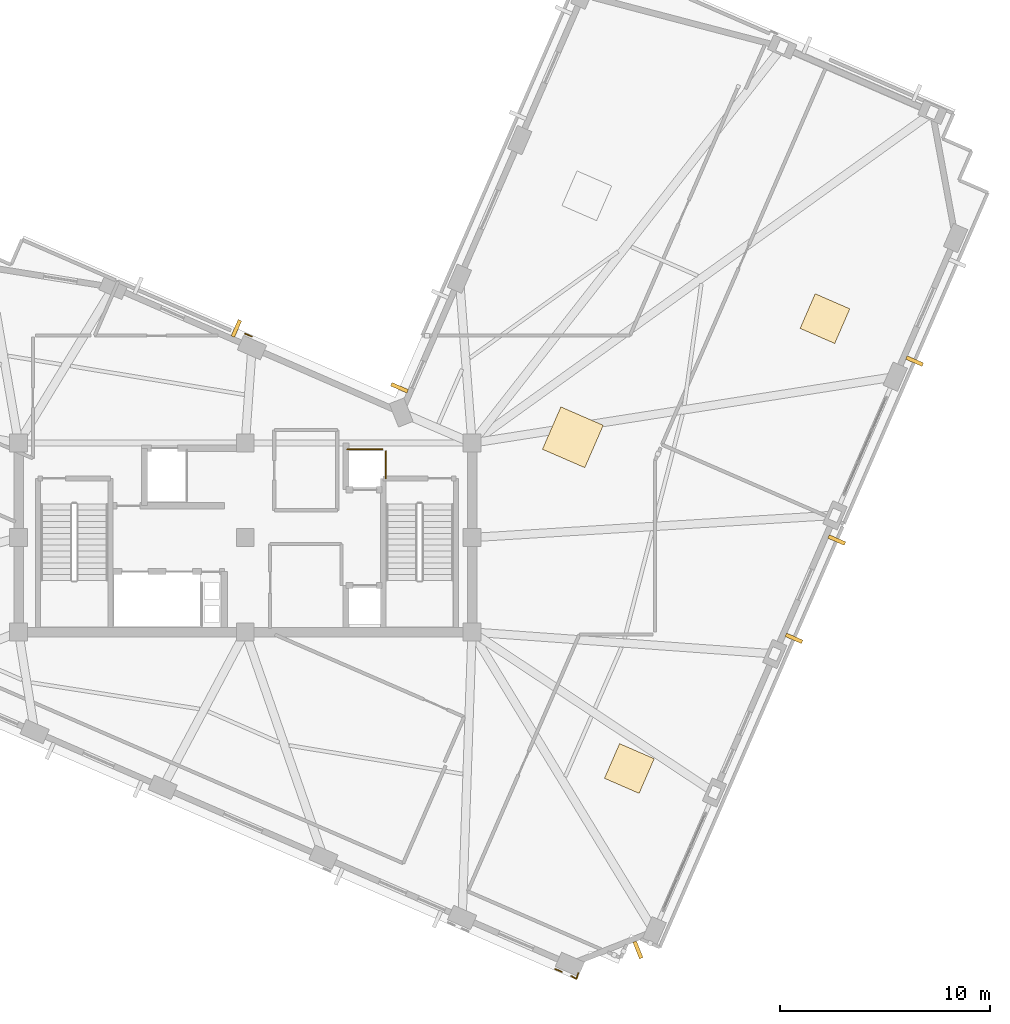
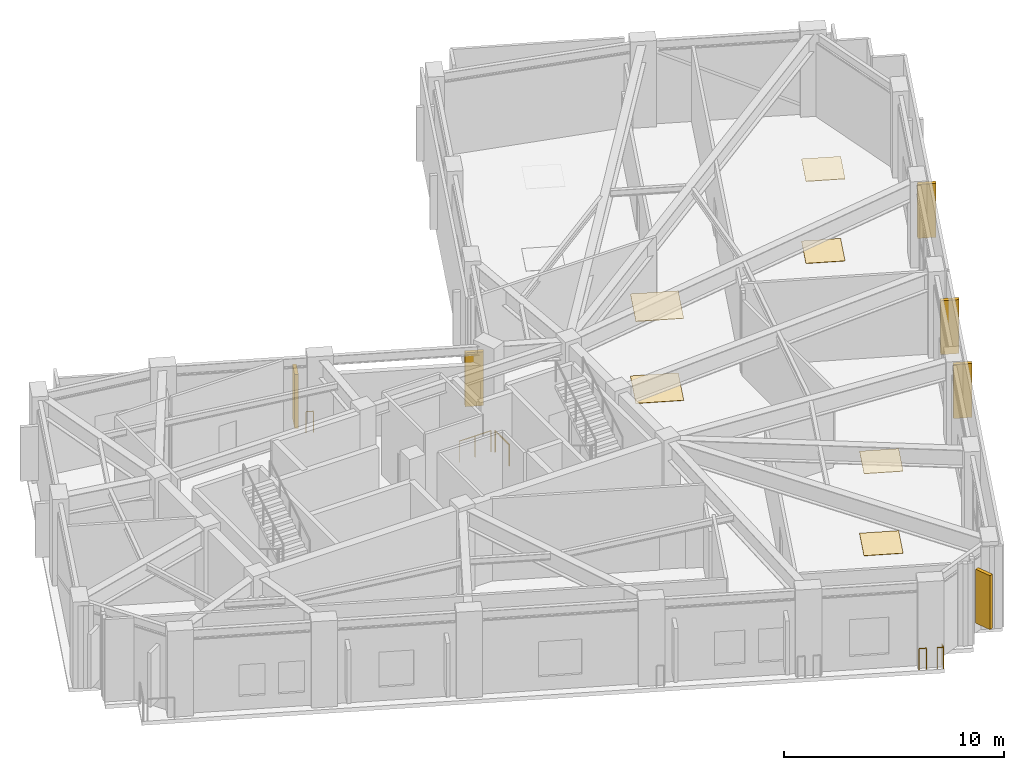
# One storey, part 9 of 11: 6 coverings, 6 shading devices, 5 railings.
"""IFC4 building model written with IfcOpenShell, lengths in metres."""

from ifc_helpers import new_model, si_unit, direction, frame, origin, origin_2d, place, context, subcontext, project, spatial, rectangle, circle, extrude, material, layer, layer_set, type_object, element, save


model = new_model("IFC4")

# Units and contexts
model_context = context("Model", 3, precision=1e-05, world=origin(), true_north=direction((0.0, 1.0)))
body_context = subcontext(model_context, "Body", "Model", "MODEL_VIEW")
ifc_project = project(units=[si_unit("LENGTHUNIT", "METRE"), si_unit("AREAUNIT", "SQUARE_METRE"), si_unit("VOLUMEUNIT", "CUBIC_METRE"), si_unit("PLANEANGLEUNIT", "RADIAN"), si_unit("MASSUNIT", "GRAM", prefix="KILO")], contexts=[model_context])

# Site, building, storey
site_placement = place(None, origin())
site = spatial("IfcSite", under=ifc_project, at=site_placement, CompositionType="ELEMENT")
building_placement = place(site_placement, origin())
building = spatial("IfcBuilding", under=site, at=building_placement, Name="Gaonmaruhae Medical Tower", CompositionType="ELEMENT")
storey_placement = place(building_placement, frame((0.0, 0.0, 328.60009765625)))
storey = spatial("IfcBuildingStorey", under=building, at=storey_placement, Name="L79", CompositionType="ELEMENT", Elevation=328.60009765625)

# Coverings
ifc_material_1 = material(Name="Acoustic mineral ceiling tile", Category="finish")
ifc_layer_1 = layer(ifc_material_1, 0.02490234375)
ifc_layer_set_1 = layer_set([ifc_layer_1], Name="Acoustic mineral ceiling tile")
covering_type_1 = type_object("IfcCoveringType", Name="CLG-01 Antimicrobial Acoustic Mineral Ceiling", PredefinedType="CEILING", material=ifc_layer_set_1)
covering_1_placement = place(storey_placement, frame((40.40087890625, 17.07568359375, 4.554931640625), z_axis=(0.0, 0.0, 1.0), x_axis=(0.398749068925, 0.917060074385, 0.0)))
element("IfcCovering", 1, at=covering_1_placement, inside=storey, type_object=covering_type_1, Name="L79 Clinical Corridor Acoustic Ceiling", PredefinedType="CEILING", context=body_context, shape_type="SweptSolid", body=[
    extrude(rectangle(XDim=2.199951171875, YDim=2.199951171875, at=origin_2d()), origin(), (0.0, 0.0, 1.0), 0.02490234375),
])
for number, where, z_axis, x_axis, name in (
    (2, (52.408935546875, 22.72802734375, 4.554931640625), (0.0, 0.0, 1.0), (0.398749068925, 0.917060074385, 0.0), "L79 Clinical Room Acoustic Ceiling 2"),
    (3, (43.091552734375, 1.300048828125, 4.554931640625), (0.0, 0.0, 1.0), (0.398749068925, 0.917060074385, 0.0), "L79 Clinical Room Acoustic Ceiling 3"),
):
    element("IfcCovering", number, at=place(storey_placement, frame(where, z_axis=z_axis, x_axis=x_axis)), inside=storey, type_object=covering_type_1, Name=name, PredefinedType="CEILING", context=body_context, shape_type="SweptSolid", body=[
        extrude(rectangle(XDim=1.800048828125, YDim=1.800048828125, at=origin_2d()), origin(), (0.0, 0.0, 1.0), 0.02490234375),
    ])
ifc_material_2 = material(Name="Seamless clinical vinyl flooring", Category="finish")
ifc_layer_2 = layer(ifc_material_2, 0.014892578125)
ifc_layer_set_2 = layer_set([ifc_layer_2], Name="Seamless clinical vinyl flooring")
covering_type_2 = type_object("IfcCoveringType", Name="FLR-01 Seamless Clinical Antistatic Vinyl Flooring", PredefinedType="FLOORING", material=ifc_layer_set_2)
covering_2_placement = place(storey_placement, frame((40.40087890625, 17.07568359375, 0.00048828125), z_axis=(0.0, 0.0, 1.0), x_axis=(0.398749068925, 0.917060074385, 0.0)))
element("IfcCovering", 4, at=covering_2_placement, inside=storey, type_object=covering_type_2, Name="L79 Clinical Corridor Vinyl Flooring", PredefinedType="FLOORING", context=body_context, shape_type="SweptSolid", body=[
    extrude(rectangle(XDim=2.199951171875, YDim=2.199951171875, at=origin_2d()), origin(), (0.0, 0.0, 1.0), 0.014892578125),
])
for number, where, z_axis, x_axis, name in (
    (5, (52.408935546875, 22.72802734375, 0.0), (0.0, 0.0, 1.0), (0.398749068925, 0.917060074385, 0.0), "L79 Clinical Room Vinyl Flooring 2"),
    (6, (43.091552734375, 1.300048828125, 0.0), (0.0, 0.0, 1.0), (0.398749068925, 0.917060074385, 0.0), "L79 Clinical Room Vinyl Flooring 3"),
):
    element("IfcCovering", number, at=place(storey_placement, frame(where, z_axis=z_axis, x_axis=x_axis)), inside=storey, type_object=covering_type_2, Name=name, PredefinedType="FLOORING", context=body_context, shape_type="SweptSolid", body=[
        extrude(rectangle(XDim=1.800048828125, YDim=1.800048828125, at=origin_2d()), origin(), (0.0, 0.0, 1.0), 0.014892578125),
    ])

# Railings
ifc_material_3 = material(Name="Stainless steel 316L and laminated safety glass", Category="steel")
ifc_layer_3 = layer(ifc_material_3, 0.080078125)
ifc_layer_set_3 = layer_set([ifc_layer_3], Name="Stainless steel 316L and laminated safety glass")
railing_type_1 = type_object("IfcRailingType", Name="GD-120 Outdoor Terrace Safety Glass & Steel Balustrade", PredefinedType="BALUSTRADE", material=ifc_layer_set_3)
railing_1_placement = place(storey_placement, frame((25.103515625, 21.87548828125, 0.0)))
element("IfcRailing", 7, at=railing_1_placement, inside=storey, type_object=railing_type_1, Name="L79 Perimeter Slab Edge Safety Balustrade 02", PredefinedType="BALUSTRADE", context=body_context, shape_type="SweptSolid", body=[
    extrude(circle(Radius=0.02392578125, at=origin_2d()), frame((0.0, 0.0, 1.17578125), z_axis=(-0.917081518132, 0.398699748056, 0.0), x_axis=(-0.398699748056, -0.917081518132, 0.0)), (0.0, 0.0, 1.0), 0.338623046875),
    extrude(circle(Radius=0.02099609375, at=origin_2d()), origin(), (0.0, 0.0, 1.0), 1.15185546875),
    extrude(circle(Radius=0.02099609375, at=origin_2d()), frame((-0.310546875, 0.135009765625, 0.0)), (0.0, 0.0, 1.0), 1.15185546875),
])
railing_2_placement = place(storey_placement, frame((39.5595703125, -8.247314453125, 0.0)))
element("IfcRailing", 8, at=railing_2_placement, inside=storey, type_object=railing_type_1, Name="L79 Perimeter Slab Edge Safety Balustrade 08", PredefinedType="BALUSTRADE", context=body_context, shape_type="SweptSolid", body=[
    extrude(circle(Radius=0.02392578125, at=origin_2d()), frame((0.0, 0.0, 1.17578125), z_axis=(0.917012919483, -0.398857500245, 0.0), x_axis=(0.398857500245, 0.917012919483, 0.0)), (0.0, 0.0, 1.0), 0.339599609375),
    extrude(circle(Radius=0.02099609375, at=origin_2d()), origin(), (0.0, 0.0, 1.0), 1.15185546875),
    extrude(circle(Radius=0.02099609375, at=origin_2d()), frame((0.3115234375, -0.135498046875, 0.0)), (0.0, 0.0, 1.0), 1.15185546875),
])
railing_3_placement = place(storey_placement, frame((40.327392578125, -8.5810546875, 0.0)))
element("IfcRailing", 9, at=railing_3_placement, inside=storey, type_object=railing_type_1, Name="L79 Perimeter Corner Safety Balustrade 09", PredefinedType="BALUSTRADE", context=body_context, shape_type="SweptSolid", body=[
    extrude(circle(Radius=0.02392578125, at=origin_2d()), frame((0.0, 0.0, 1.17578125), z_axis=(0.861518532877, -0.507726124509, 0.0), x_axis=(0.507726124509, 0.861518532877, 0.0)), (0.0, 0.0, 1.0), 0.287109375),
    extrude(circle(Radius=0.02392578125, at=origin_2d()), frame((0.247314453125, -0.145751953125, 1.17578125), z_axis=(0.28391467167, 0.958849549831, 0.0), x_axis=(-0.958849549831, 0.28391467167, 0.0)), (0.0, 0.0, 1.0), 0.287109375),
    extrude(circle(Radius=0.02099609375, at=origin_2d()), origin(), (0.0, 0.0, 1.0), 1.15185546875),
    extrude(circle(Radius=0.02099609375, at=origin_2d()), frame((0.247314453125, -0.145751953125, 0.0)), (0.0, 0.0, 1.0), 1.15185546875),
    extrude(circle(Radius=0.02099609375, at=origin_2d()), frame((0.328857421875, 0.129638671875, 0.0)), (0.0, 0.0, 1.0), 1.15185546875),
])

# Shading devices
ifc_material_4 = material(Name="Pigmented coral precast concrete C45/55", Category="concrete")
shading_device_type = type_object("IfcShadingDeviceType", Name="SD-FIN1 Tower Vertical Coral Precast Shading Fin", PredefinedType="USERDEFINED", material=ifc_material_4)
for number, where, z_axis, x_axis, name in (
    (10, (52.97021484375, 12.18212890625, 0.532470703125), (0.0, 0.0, 1.0), (-0.398749068925, -0.917060074385, 0.0), "L79 Vertical Coral Precast Shading Fin S03"),
    (11, (50.9345703125, 7.50048828125, 0.532470703125), (0.0, 0.0, 1.0), (-0.398749068925, -0.917060074385, 0.0), "L79 Vertical Coral Precast Shading Fin S03B"),
    (12, (56.676513671875, 20.706298828125, 0.532470703125), (0.0, 0.0, 1.0), (-0.398749068925, -0.917060074385, 0.0), "L79 Vertical Coral Precast Shading Fin S05B"),
    (13, (32.14404296875, 19.432861328125, 0.532470703125), (0.0, 0.0, 1.0), (0.398749068925, 0.917060074385, 0.0), "L79 Vertical Coral Precast Shading Fin EN02"),
    (14, (24.37548828125, 22.2626953125, 0.532470703125), (0.0, 0.0, 1.0), (0.917060074385, -0.398749068925, 0.0), "L79 Vertical Coral Precast Shading Fin NE01B"),
    (15, (43.500244140625, -7.33935546875, 0.532470703125), (0.0, 0.0, 1.0), (-0.930411171187, -0.366517465518, 0.0), "L79 Vertical Coral Precast Shading Fin W06"),
):
    element("IfcShadingDevice", number, at=place(storey_placement, frame(where, z_axis=z_axis, x_axis=x_axis)), inside=storey, type_object=shading_device_type, Name=name, ObjectType="FIN", PredefinedType="USERDEFINED", context=body_context, shape_type="SweptSolid", body=[
        extrude(rectangle(XDim=0.179931640625, YDim=0.85009765625, at=origin_2d()), origin(), (0.0, 0.0, 1.0), 3.0),
    ])

# Railings
ifc_material_5 = material(Name="Stainless steel 304 balustrade", Category="steel")
railing_type_2 = type_object("IfcRailingType", Name="SG-112 Stair Well & Ramp Void Safety Balustrade", PredefinedType="BALUSTRADE", material=ifc_material_5)
railing_4_placement = place(storey_placement, frame((31.4951171875, 16.405029296875, 0.0)))
element("IfcRailing", 16, at=railing_4_placement, inside=storey, type_object=railing_type_2, Name="L79 Shaft Edge Safety Guard 12", PredefinedType="BALUSTRADE", context=body_context, shape_type="SweptSolid", body=[
    extrude(circle(Radius=0.02392578125, at=origin_2d()), frame((0.0, 0.0, 1.17578125), z_axis=(0.0, -1.0, 0.0), x_axis=(1.0, 0.0, 0.0)), (0.0, 0.0, 1.0), 1.284912109375),
    extrude(circle(Radius=0.02099609375, at=origin_2d()), origin(), (0.0, 0.0, 1.0), 1.15185546875),
    extrude(circle(Radius=0.02099609375, at=origin_2d()), frame((0.0, -1.284912109375, 0.0)), (0.0, 0.0, 1.0), 1.15185546875),
])
railing_5_placement = place(storey_placement, frame((29.6630859375, 16.4951171875, 0.0)))
element("IfcRailing", 17, at=railing_5_placement, inside=storey, type_object=railing_type_2, Name="L79 Shaft Edge Safety Guard 13", PredefinedType="BALUSTRADE", context=body_context, shape_type="SweptSolid", body=[
    extrude(circle(Radius=0.02392578125, at=origin_2d()), frame((0.0, 0.0, 1.17578125), z_axis=(1.0, 0.0, 0.0), x_axis=(0.0, 1.0, 0.0)), (0.0, 0.0, 1.0), 1.673828125),
    extrude(circle(Radius=0.02099609375, at=origin_2d()), origin(), (0.0, 0.0, 1.0), 1.15185546875),
    extrude(circle(Radius=0.02099609375, at=origin_2d()), frame((0.8369140625, 0.0, 0.0)), (0.0, 0.0, 1.0), 1.15185546875),
    extrude(circle(Radius=0.02099609375, at=origin_2d()), frame((1.673828125, 0.0, 0.0)), (0.0, 0.0, 1.0), 1.15185546875),
])

save(model, "model.ifc")
